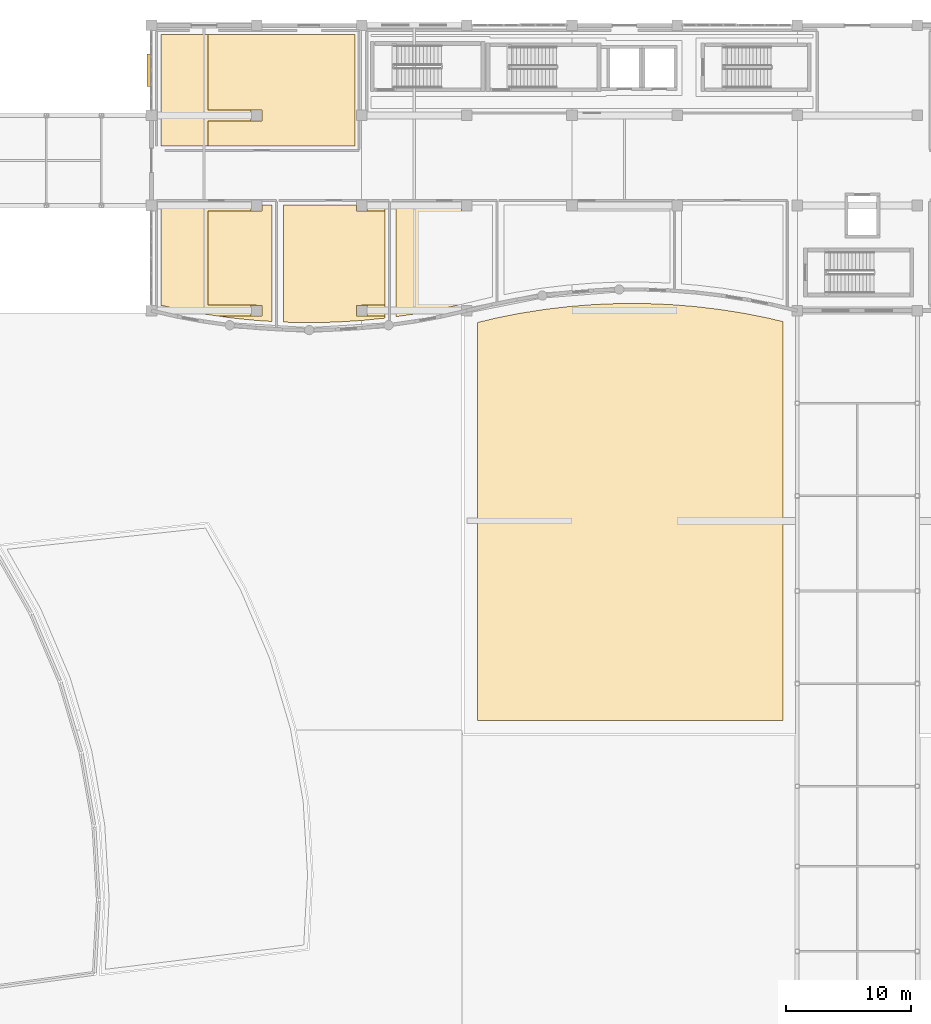
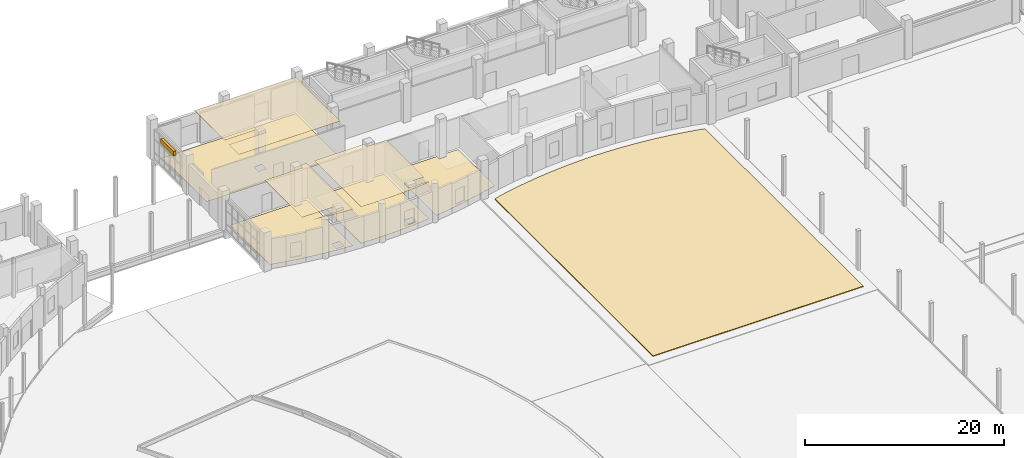
# One storey, part 88 of 97: 8 coverings, 1 shading device.
"""IFC4 building model written with IfcOpenShell, lengths in metres."""

from ifc_helpers import new_model, si_unit, direction, frame, origin, origin_2d, place, context, subcontext, project, spatial, polyline, rectangle, outline, extrude, material, layer, layer_set, type_object, element, save


model = new_model("IFC4")

# Units and contexts
model_context = context("Model", 3, precision=1e-05, world=origin(), true_north=direction((0.0, 1.0)))
body_context = subcontext(model_context, "Body", "Model", "MODEL_VIEW")
ifc_project = project(units=[si_unit("LENGTHUNIT", "METRE"), si_unit("AREAUNIT", "SQUARE_METRE"), si_unit("VOLUMEUNIT", "CUBIC_METRE"), si_unit("PLANEANGLEUNIT", "RADIAN"), si_unit("MASSUNIT", "GRAM", prefix="KILO")], contexts=[model_context])

# Site, building, storey
site_placement = place(None, origin())
site = spatial("IfcSite", under=ifc_project, at=site_placement, CompositionType="ELEMENT")
building_placement = place(site_placement, origin())
building = spatial("IfcBuilding", under=site, at=building_placement, Name="Kisaragi Civic Commons", CompositionType="ELEMENT")
storey_placement = place(building_placement, origin())
storey = spatial("IfcBuildingStorey", under=building, at=storey_placement, Name="L00", CompositionType="ELEMENT", Elevation=0.0)

# Coverings
ifc_material_1 = material(Name="Perforated mineral-fibre & hinoki slat acoustic ceiling")
ifc_layer_1 = layer(ifc_material_1, 0.02490234375, Name="Perforated mineral-fibre & hinoki slat acoustic ceiling")
ifc_layer_set_1 = layer_set([ifc_layer_1], Name="Perforated mineral-fibre & hinoki slat acoustic ceiling")
covering_type_1 = type_object("IfcCoveringType", Name="CLG-02", PredefinedType="CEILING", material=ifc_layer_set_1)
covering_1_placement = place(storey_placement, frame((0.0, 0.0, 4.469970703125)))
element("IfcCovering", 1, at=covering_1_placement, inside=storey, type_object=covering_type_1, Name="Nursery Play Hall acoustic ceiling", PredefinedType="CEILING", context=body_context, shape_type="SweptSolid", body=[
    extrude(outline(polyline([(88.25, 109.14990234375), (88.25, 118.050048828125), (76.510009765625, 118.050048828125), (76.510009765625, 112.034912109375), (80.39990234375, 112.034912109375), (80.39990234375, 112.030029296875), (80.830078125, 112.030029296875), (80.830078125, 111.169921875), (80.39990234375, 111.169921875), (80.39990234375, 111.1650390625), (76.510009765625, 111.1650390625), (76.510009765625, 109.14990234375), (88.25, 109.14990234375)])), origin(), (0.0, 0.0, 1.0), 0.025146484375),
])
covering_2_placement = place(storey_placement, frame((0.0, 0.0, 4.469970703125)))
element("IfcCovering", 2, at=covering_2_placement, inside=storey, type_object=covering_type_1, Name="Infant Room West acoustic ceiling", PredefinedType="CEILING", context=body_context, shape_type="SweptSolid", body=[
    extrude(outline(polyline([(80.41064453125, 95.21142578125), (81.64990234375, 95.135498046875), (81.64990234375, 104.449951171875), (80.830078125, 104.449951171875), (80.830078125, 103.969970703125), (80.39990234375, 103.969970703125), (80.39990234375, 103.965087890625), (76.510009765625, 103.965087890625), (76.510009765625, 96.43505859375), (80.39990234375, 96.43505859375), (80.39990234375, 96.429931640625), (80.830078125, 96.429931640625), (80.830078125, 95.570068359375), (80.39990234375, 95.570068359375), (80.39990234375, 95.56494140625), (77.35009765625, 95.56494140625), (78.324462890625, 95.4248046875), (80.41064453125, 95.21142578125)])), origin(), (0.0, 0.0, 1.0), 0.025146484375),
])
covering_3_placement = place(storey_placement, frame((0.0, 0.0, 4.469970703125)))
element("IfcCovering", 3, at=covering_3_placement, inside=storey, type_object=covering_type_1, Name="Infant Room East acoustic ceiling", PredefinedType="CEILING", context=body_context, shape_type="SweptSolid", body=[
    extrude(outline(polyline([(82.550048828125, 104.449951171875), (82.550048828125, 95.082275390625), (84.60009765625, 95.04052734375), (86.6962890625, 95.083251953125), (88.789306640625, 95.21142578125), (90.64990234375, 95.40185546875), (90.64990234375, 95.56494140625), (88.800048828125, 95.56494140625), (88.800048828125, 95.570068359375), (88.3701171875, 95.570068359375), (88.3701171875, 96.429931640625), (88.800048828125, 96.429931640625), (88.800048828125, 96.43505859375), (90.64990234375, 96.43505859375), (90.64990234375, 103.965087890625), (88.800048828125, 103.965087890625), (88.800048828125, 103.969970703125), (88.3701171875, 103.969970703125), (88.3701171875, 104.449951171875), (82.550048828125, 104.449951171875)])), origin(), (0.0, 0.0, 1.0), 0.025146484375),
])
ifc_material_2 = material(Name="Honed Mino ceramic tile & resilience acoustic flooring")
ifc_layer_2 = layer(ifc_material_2, 0.01611328125, Name="Honed Mino ceramic tile & resilience acoustic flooring")
ifc_layer_set_2 = layer_set([ifc_layer_2], Name="Honed Mino ceramic tile & resilience acoustic flooring")
covering_type_2 = type_object("IfcCoveringType", Name="FLR-02", PredefinedType="FLOORING", material=ifc_layer_set_2)
covering_4_placement = place(storey_placement, origin())
element("IfcCovering", 4, at=covering_4_placement, inside=storey, type_object=covering_type_2, Name="Nursery Play Hall floor finish", PredefinedType="FLOORING", context=body_context, shape_type="SweptSolid", body=[
    extrude(outline(polyline([(88.25, 118.050048828125), (72.75, 118.050048828125), (72.75, 109.14990234375), (88.25, 109.14990234375), (88.25, 118.050048828125)]), holes=[polyline([(80.830078125, 111.169921875), (79.969970703125, 111.169921875), (79.969970703125, 112.030029296875), (80.830078125, 112.030029296875), (80.830078125, 111.169921875)])]), origin(), (0.0, 0.0, 1.0), 0.01611328125),
])
covering_5_placement = place(storey_placement, origin())
element("IfcCovering", 5, at=covering_5_placement, inside=storey, type_object=covering_type_2, Name="Infant Room West floor finish", PredefinedType="FLOORING", context=body_context, shape_type="SweptSolid", body=[
    extrude(outline(polyline([(81.64990234375, 95.135498046875), (81.64990234375, 104.449951171875), (80.830078125, 104.449951171875), (80.830078125, 103.969970703125), (79.969970703125, 103.969970703125), (79.969970703125, 104.449951171875), (72.75, 104.449951171875), (72.75, 96.43408203125), (74.187255859375, 96.10595703125), (76.2490234375, 95.723388671875), (78.324462890625, 95.4248046875), (80.41064453125, 95.21142578125), (81.64990234375, 95.135498046875)]), holes=[polyline([(80.830078125, 96.429931640625), (80.830078125, 95.570068359375), (79.969970703125, 95.570068359375), (79.969970703125, 96.429931640625), (80.830078125, 96.429931640625)])]), origin(), (0.0, 0.0, 1.0), 0.01611328125),
])
covering_6_placement = place(storey_placement, origin())
element("IfcCovering", 6, at=covering_6_placement, inside=storey, type_object=covering_type_2, Name="Infant Room East floor finish", PredefinedType="FLOORING", context=body_context, shape_type="SweptSolid", body=[
    extrude(outline(polyline([(82.550048828125, 95.082275390625), (84.60009765625, 95.04052734375), (86.6962890625, 95.083251953125), (88.789306640625, 95.21142578125), (90.64990234375, 95.40185546875), (90.64990234375, 104.449951171875), (89.22998046875, 104.449951171875), (89.22998046875, 103.969970703125), (88.3701171875, 103.969970703125), (88.3701171875, 104.449951171875), (82.550048828125, 104.449951171875), (82.550048828125, 95.082275390625)]), holes=[polyline([(89.22998046875, 95.570068359375), (88.3701171875, 95.570068359375), (88.3701171875, 96.429931640625), (89.22998046875, 96.429931640625), (89.22998046875, 95.570068359375)])]), origin(), (0.0, 0.0, 1.0), 0.01611328125),
])
covering_7_placement = place(storey_placement, origin())
element("IfcCovering", 7, at=covering_7_placement, inside=storey, type_object=covering_type_2, Name="Preschool Classroom floor finish", PredefinedType="FLOORING", context=body_context, shape_type="SweptSolid", body=[
    extrude(outline(polyline([(99.25, 97.094482421875), (99.25, 104.449951171875), (97.6298828125, 104.449951171875), (97.6298828125, 103.969970703125), (96.77001953125, 103.969970703125), (96.77001953125, 104.449951171875), (91.550048828125, 104.449951171875), (91.550048828125, 95.52197265625), (92.950927734375, 95.723388671875), (95.0126953125, 96.10595703125), (97.065185546875, 96.574462890625), (99.060791015625, 97.05615234375), (99.07666015625, 97.059814453125), (99.25, 97.094482421875)])), origin(), (0.0, 0.0, 1.0), 0.01611328125),
])
ifc_material_3 = material(Name="Extensive sedum planted roof assembly")
ifc_layer_3 = layer(ifc_material_3, 0.0849609375, Name="Extensive sedum planted roof assembly")
ifc_layer_set_3 = layer_set([ifc_layer_3], Name="Extensive sedum planted roof assembly")
covering_type_3 = type_object("IfcCoveringType", Name="RFG-02", PredefinedType="ROOFING", material=ifc_layer_set_3)
covering_8_placement = place(storey_placement, origin())
element("IfcCovering", 8, at=covering_8_placement, inside=storey, type_object=covering_type_3, Name="L00 courtyard roof-garden planted covering 1.1", PredefinedType="ROOFING", context=body_context, shape_type="SweptSolid", body=[
    extrude(outline(polyline([(122.47998046875, 63.260009765625), (122.47998046875, 95.118408203125), (121.36279296875, 95.387939453125), (119.39306640625, 95.781982421875), (117.4091796875, 96.097900390625), (115.414306640625, 96.335205078125), (113.411865234375, 96.493896484375), (111.404541015625, 96.572998046875), (109.3955078125, 96.572998046875), (107.38818359375, 96.493896484375), (105.385498046875, 96.335205078125), (103.390869140625, 96.097900390625), (101.406982421875, 95.781982421875), (99.437255859375, 95.387939453125), (98.06005859375, 95.055419921875), (98.06005859375, 63.260009765625), (122.47998046875, 63.260009765625)])), origin(), (0.0, 0.0, 1.0), 0.0849609375),
])

# Shading device
ifc_material_4 = material(Name="Extruded Tokoname terracotta sun-louvre blade", Category="masonry")
ifc_layer_4 = layer(ifc_material_4, 0.550048828125, Name="Extruded Tokoname terracotta sun-louvre blade", Category="masonry")
ifc_layer_set_4 = layer_set([ifc_layer_4], Name="Extruded Tokoname terracotta sun-louvre blade")
shading_device_type = type_object("IfcShadingDeviceType", Name="SHD-02", PredefinedType="JALOUSIE", material=ifc_layer_set_4)
shading_device_placement = place(storey_placement, frame((71.81005859375, 115.199951171875, 3.1201171875), z_axis=(0.0, 0.0, 1.0), x_axis=(0.0, 1.0, 0.0)))
element("IfcShadingDevice", 9, at=shading_device_placement, inside=storey, type_object=shading_device_type, Name="V4 L00 terracotta sun-louvre 8", PredefinedType="JALOUSIE", context=body_context, shape_type="SweptSolid", body=[
    extrude(rectangle(XDim=2.60009765625, YDim=0.300048828125, at=origin_2d()), origin(), (0.0, 0.0, 1.0), 0.550048828125),
])

save(model, "model.ifc")
